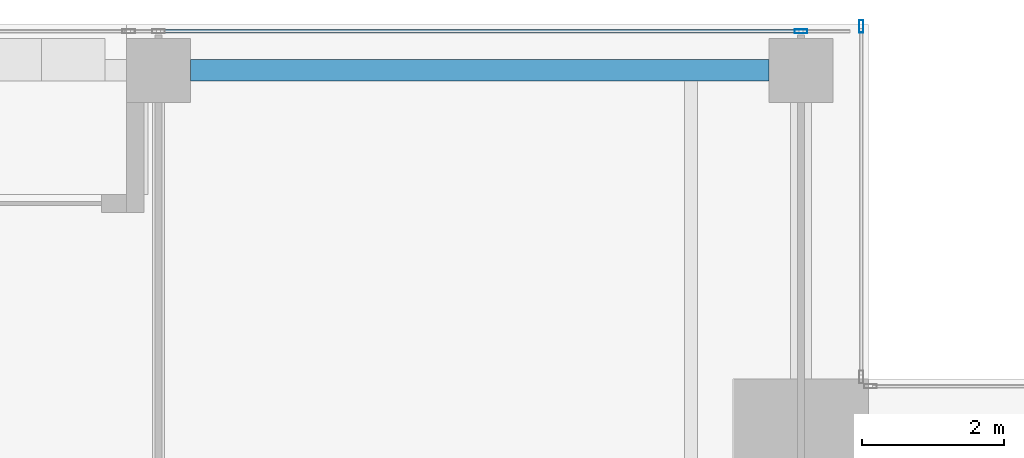
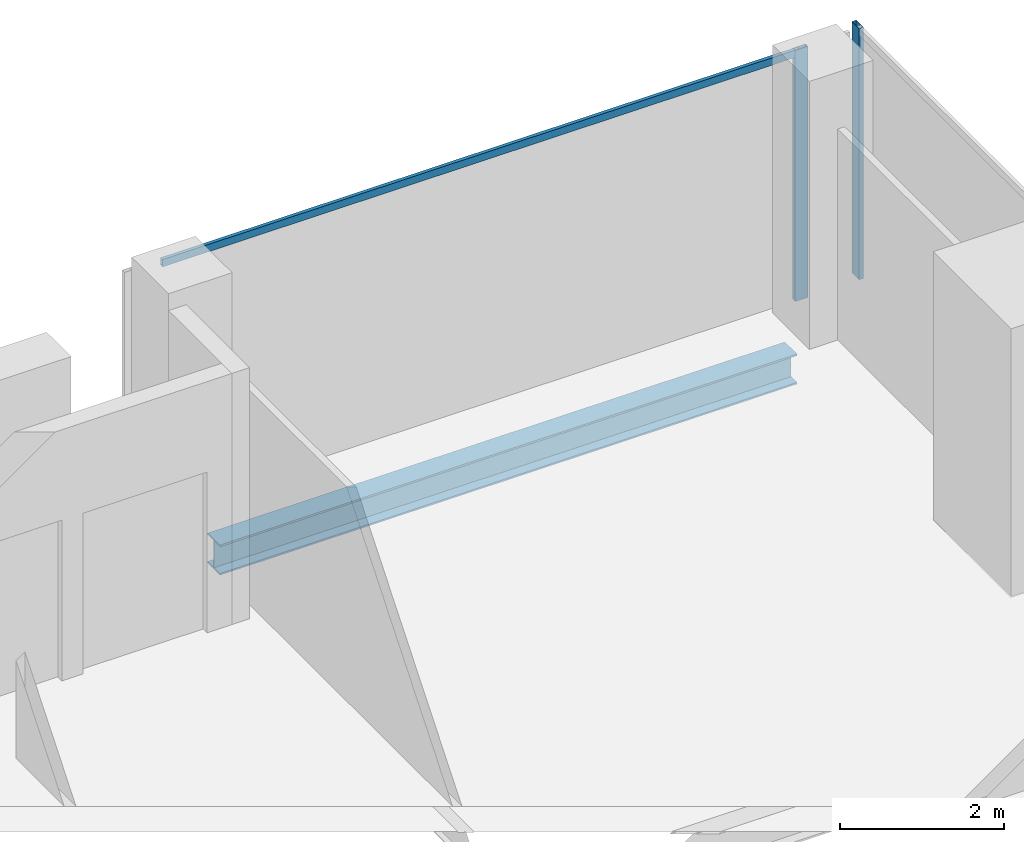
# One storey, part 23 of 35: 3 members, 1 beam, 2 elements without a shape of their own.
"""IFC4 building model written with IfcOpenShell, lengths in metres."""

from ifc_helpers import new_model, si_unit, direction, frame, origin, origin_2d, place, context, subcontext, project, spatial, hollow_rectangle, i_section, extrude, source, transform, mapped, material, material_profile, profile_set, type_object, element, aggregate, save


model = new_model("IFC4")

# Units and contexts
model_context = context("Model", 3, precision=1e-05, world=origin(), true_north=direction((0.0, 1.0)))
body_context = subcontext(model_context, "Body", "Model", "MODEL_VIEW")
ifc_project = project(units=[si_unit("LENGTHUNIT", "METRE"), si_unit("AREAUNIT", "SQUARE_METRE"), si_unit("VOLUMEUNIT", "CUBIC_METRE"), si_unit("PLANEANGLEUNIT", "RADIAN"), si_unit("MASSUNIT", "GRAM", prefix="KILO")], contexts=[model_context])

# Site, building, storey
site_placement = place(None, origin())
site = spatial("IfcSite", under=ifc_project, at=site_placement, CompositionType="ELEMENT")
building_placement = place(site_placement, origin())
building = spatial("IfcBuilding", under=site, at=building_placement, Name="Khomas Fold Tower", CompositionType="ELEMENT")
storey_placement = place(building_placement, frame((0.0, 0.0, 270.199951171875)))
storey = spatial("IfcBuildingStorey", under=building, at=storey_placement, Name="L61", CompositionType="ELEMENT", Elevation=270.199951171875)

# Beam
ifc_material_1 = material(Name="Steel S355", Category="steel")
ifc_material_profile_1 = material_profile(ifc_material_1, i_section(OverallWidth=0.300048828125, OverallDepth=0.449951171875, WebThickness=0.013916015625, FlangeThickness=0.02587890625, at=origin_2d()), Name="HE 450 B")
ifc_profile_set_1 = profile_set([ifc_material_profile_1], Name="Steel S355")
beam_type = type_object("IfcBeamType", Name="HE 450 B spandrel SB4", PredefinedType="SPANDREL", material=ifc_profile_set_1)
shared_shape_1 = source(origin(), body_context, "Body", "SweptSolid", [
    extrude(i_section(OverallWidth=0.300048828125, OverallDepth=0.449951171875, WebThickness=0.013916015625, FlangeThickness=0.02587890625, at=origin_2d()), origin(), (0.0, 0.0, 1.0), 8.150146484375),
])
beam_placement = place(storey_placement, frame((34.949951171875, 48.85009765625, -0.474853515625), z_axis=(1.0, 0.0, 0.0), x_axis=(0.0, 1.0, 0.0)))
element("IfcBeam", 1, at=beam_placement, inside=storey, type_object=beam_type, Name="SB4", PredefinedType="SPANDREL", context=body_context, shape_type="MappedRepresentation", body=[
    mapped(shared_shape_1, transform((0.0, 0.0, 0.0))),
])

# Curtain wall, member
ifc_material_2 = material(Name="Aluminium framed double glazing", Category="aluminium")
curtain_wall_type = type_object("IfcCurtainWallType", Name="SK-Unitised clear-glass wall, office floors CW2", PredefinedType="NOTDEFINED", material=ifc_material_2)
curtain_wall_1_placement = place(storey_placement, origin())
curtain_wall_1 = element("IfcCurtainWall", 2, at=curtain_wall_1_placement, inside=storey, type_object=curtain_wall_type, Name="CW2 corner return L61 05", PredefinedType="NOTDEFINED")
ifc_material_3 = material(Name="Aluminium", Category="aluminium")
ifc_material_profile_2 = material_profile(ifc_material_3, hollow_rectangle(XDim=0.06005859375, YDim=0.179931640625, WallThickness=0.00390625, at=origin_2d()), Name="SK-Unitised clear-glass wall, office floors mullion CW2-M")
ifc_profile_set_2 = profile_set([ifc_material_profile_2], Name="Aluminium")
member_type_1 = type_object("IfcMemberType", Name="SK-Unitised clear-glass wall, office floors mullion CW2-M", PredefinedType="MULLION", material=ifc_profile_set_2)
shared_shape_2 = source(origin(), body_context, "Body", "SweptSolid", [
    extrude(hollow_rectangle(XDim=0.06005859375, YDim=0.179931640625, WallThickness=0.00390625, at=origin_2d()), origin(), (0.0, 0.0, 1.0), 3.75),
])
member_1_placement = place(storey_placement, frame((44.39990234375, 49.469970703125, 0.0), z_axis=(0.0, 0.0, 1.0), x_axis=(-1.0, 0.0, 0.0)))
member_1 = element("IfcMember", 3, at=member_1_placement, type_object=member_type_1, Name="CW2 mullion 2", PredefinedType="MULLION", context=body_context, shape_type="MappedRepresentation", body=[
    mapped(shared_shape_2, transform((0.0, 0.0, 0.0))),
])
aggregate(curtain_wall_1, [member_1])

# Curtain wall, members
curtain_wall_2_placement = place(storey_placement, origin())
curtain_wall_2 = element("IfcCurtainWall", 4, at=curtain_wall_2_placement, inside=storey, type_object=curtain_wall_type, Name="CW2 run L61 06-0", PredefinedType="NOTDEFINED")
member_2_placement = place(storey_placement, frame((43.550048828125, 49.39990234375, 0.0), z_axis=(0.0, 0.0, 1.0), x_axis=(0.0, -1.0, 0.0)))
member_2 = element("IfcMember", 5, at=member_2_placement, type_object=member_type_1, Name="CW2 mullion 2", PredefinedType="MULLION", context=body_context, shape_type="MappedRepresentation", body=[
    mapped(shared_shape_2, transform((0.0, 0.0, 0.0))),
])
ifc_material_4 = material(Name="Aluminium", Category="aluminium")
ifc_material_profile_3 = material_profile(ifc_material_4, hollow_rectangle(XDim=0.050048828125, YDim=0.110107421875, WallThickness=0.00390625, at=origin_2d()), Name="SK-Unitised clear-glass wall, office floors transom CW2-T")
ifc_profile_set_3 = profile_set([ifc_material_profile_3], Name="Aluminium")
member_type_2 = type_object("IfcMemberType", Name="SK-Unitised clear-glass wall, office floors transom CW2-T", PredefinedType="USERDEFINED", material=ifc_profile_set_3)
shared_shape_3 = source(origin(), body_context, "Body", "SweptSolid", [
    extrude(hollow_rectangle(XDim=0.050048828125, YDim=0.110107421875, WallThickness=0.00390625, at=origin_2d()), origin(), (0.0, 0.0, 1.0), 8.989990234375),
])
member_3_placement = place(storey_placement, frame((43.52001953125, 49.39990234375, 3.695068359375), z_axis=(-1.0, 0.0, 0.0), x_axis=(0.0, -1.0, 0.0)))
member_3 = element("IfcMember", 6, at=member_3_placement, type_object=member_type_2, Name="CW2 transom 2", ObjectType="TRANSOM", PredefinedType="USERDEFINED", context=body_context, shape_type="MappedRepresentation", body=[
    mapped(shared_shape_3, transform((0.0, 0.0, 0.0))),
])
aggregate(curtain_wall_2, [member_2, member_3])

save(model, "model.ifc")
